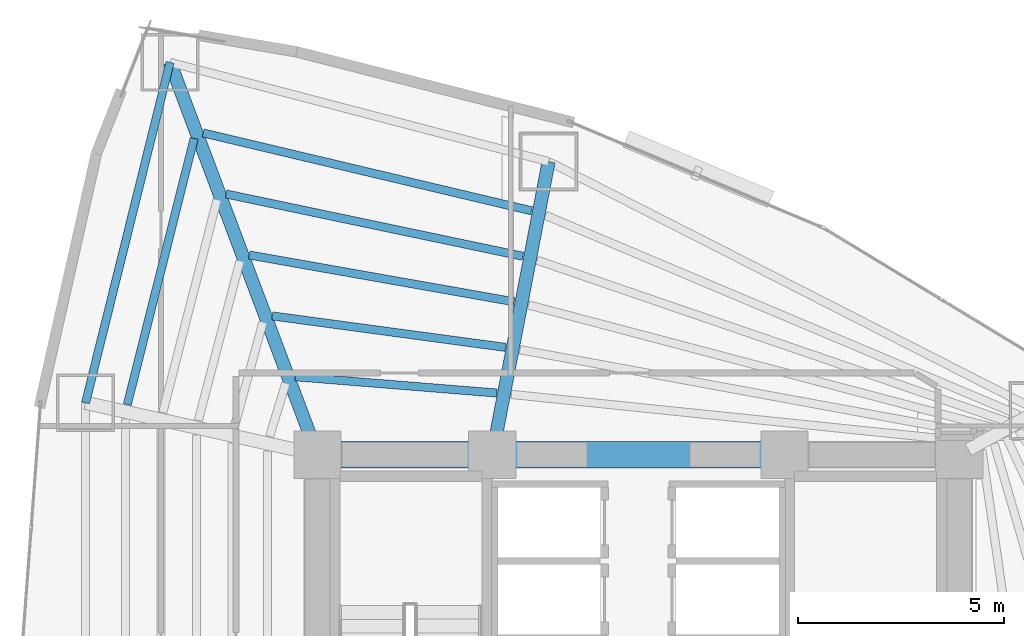
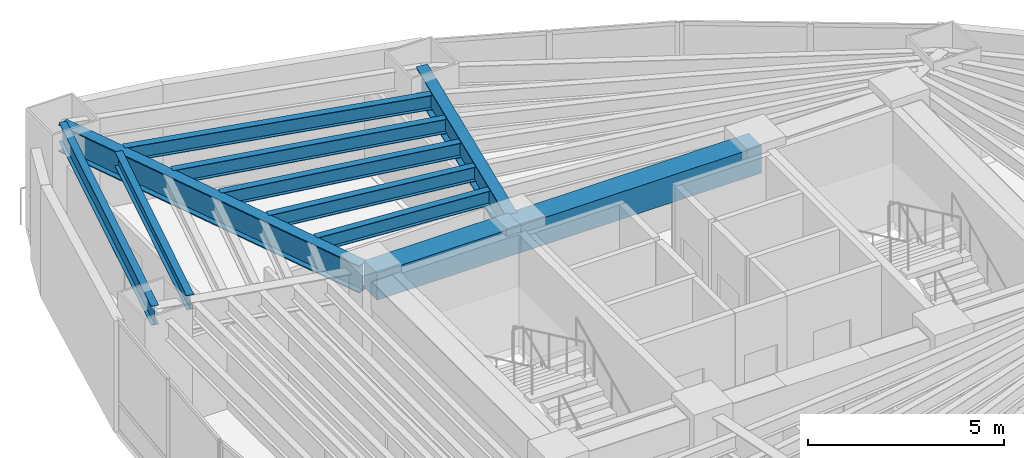
# One storey, part 8 of 17: 11 beams.
"""IFC4 building model written with IfcOpenShell, lengths in metres."""

from ifc_helpers import new_model, si_unit, direction, frame, origin, origin_2d, place, context, subcontext, project, spatial, rectangle, i_section, extrude, material, material_profile, profile_set, type_object, element, save


model = new_model("IFC4")

# Units and contexts
model_context = context("Model", 3, precision=1e-05, world=origin(), true_north=direction((0.0, 1.0)))
body_context = subcontext(model_context, "Body", "Model", "MODEL_VIEW")
ifc_project = project(units=[si_unit("LENGTHUNIT", "METRE"), si_unit("AREAUNIT", "SQUARE_METRE"), si_unit("VOLUMEUNIT", "CUBIC_METRE"), si_unit("PLANEANGLEUNIT", "RADIAN"), si_unit("MASSUNIT", "GRAM", prefix="KILO")], contexts=[model_context])

# Site, building, storey
site_placement = place(None, origin())
site = spatial("IfcSite", under=ifc_project, at=site_placement, CompositionType="ELEMENT")
building_placement = place(site_placement, origin())
building = spatial("IfcBuilding", under=site, at=building_placement, Name="Menara Vayukalpa", CompositionType="ELEMENT")
storey_placement = place(building_placement, frame((0.0, 0.0, 42.47998046875)))
storey = spatial("IfcBuildingStorey", under=building, at=storey_placement, Name="L09", CompositionType="ELEMENT", Elevation=42.47998046875)

# Beams
ifc_material_1 = material(Name="Concrete C60/75", Category="concrete")
ifc_material_profile_1 = material_profile(ifc_material_1, rectangle(XDim=0.64990234375, YDim=0.85009765625, at=origin_2d()), Name="RC 650x850")
ifc_profile_set_1 = profile_set([ifc_material_profile_1], Name="Concrete C60/75")
beam_type_1 = type_object("IfcBeamType", Name="BM-CB1", PredefinedType="BEAM", material=ifc_profile_set_1)
beam_1_placement = place(storey_placement, frame((17.800048828125, 26.800048828125, 3.044921875), z_axis=(1.0, 0.0, 0.0), x_axis=(0.0, 1.0, 0.0)))
element("IfcBeam", 1, at=beam_1_placement, inside=storey, type_object=beam_type_1, Name="L09 Core Tie Beam CBR4", PredefinedType="BEAM", context=body_context, shape_type="SweptSolid", body=[
    extrude(rectangle(XDim=0.64990234375, YDim=0.85009765625, at=origin_2d()), origin(), (0.0, 0.0, 1.0), 4.25),
])
beam_2_placement = place(storey_placement, frame((22.050048828125, 26.800048828125, 3.044921875), z_axis=(1.0, 0.0, 0.0), x_axis=(0.0, 1.0, 0.0)))
element("IfcBeam", 2, at=beam_2_placement, inside=storey, type_object=beam_type_1, Name="L09 Core Tie Beam CBR5", PredefinedType="BEAM", context=body_context, shape_type="SweptSolid", body=[
    extrude(rectangle(XDim=0.64990234375, YDim=0.85009765625, at=origin_2d()), origin(), (0.0, 0.0, 1.0), 7.099853515625),
])
ifc_material_2 = material(Name="Steel S355", Category="steel")
ifc_material_profile_2 = material_profile(ifc_material_2, i_section(OverallWidth=0.320068359375, OverallDepth=0.85009765625, WebThickness=0.01611328125, FlangeThickness=0.030029296875, at=origin_2d()), Name="WF 850x320x16x30")
ifc_profile_set_2 = profile_set([ifc_material_profile_2], Name="Steel S355")
beam_type_2 = type_object("IfcBeamType", Name="BM-PG2", PredefinedType="BEAM", material=ifc_profile_set_2)
beam_3_placement = place(storey_placement, frame((22.09716796875, 27.04541015625, 3.044921875), z_axis=(0.188803432672, 0.982014899995, 0.0), x_axis=(-0.982014899995, 0.188803432672, 0.0)))
element("IfcBeam", 3, at=beam_3_placement, inside=storey, type_object=beam_type_2, Name="L09 Primary Radial Girder RG03", PredefinedType="BEAM", context=body_context, shape_type="SweptSolid", body=[
    extrude(i_section(OverallWidth=0.320068359375, OverallDepth=0.85009765625, WebThickness=0.01611328125, FlangeThickness=0.030029296875, at=origin_2d()), origin(), (0.0, 0.0, 1.0), 7.00341796875),
])
beam_4_placement = place(storey_placement, frame((17.712158203125, 27.033935546875, 3.044921875), z_axis=(-0.351734656537, 0.93609974436, 0.0), x_axis=(-0.93609974436, -0.351734656537, 0.0)))
element("IfcBeam", 4, at=beam_4_placement, inside=storey, type_object=beam_type_2, Name="L09 Primary Radial Girder RG04", PredefinedType="BEAM", context=body_context, shape_type="SweptSolid", body=[
    extrude(i_section(OverallWidth=0.320068359375, OverallDepth=0.85009765625, WebThickness=0.01611328125, FlangeThickness=0.030029296875, at=origin_2d()), origin(), (0.0, 0.0, 1.0), 9.935302734375),
])
ifc_material_3 = material(Name="Steel S355", Category="steel")
ifc_material_profile_3 = material_profile(ifc_material_3, i_section(OverallWidth=0.199951171875, OverallDepth=0.449951171875, WebThickness=0.009033203125, FlangeThickness=0.013916015625, at=origin_2d()), Name="WF 450x200x9x14")
ifc_profile_set_3 = profile_set([ifc_material_profile_3], Name="Steel S355")
beam_type_3 = type_object("IfcBeamType", Name="BM-SJ1", PredefinedType="JOIST", material=ifc_profile_set_3)
beam_5_placement = place(storey_placement, frame((22.15576171875, 28.2978515625, 3.2451171875), z_axis=(-0.996745483939, 0.08061290373, 0.0), x_axis=(-0.08061290373, -0.996745483939, 0.0)))
element("IfcBeam", 5, at=beam_5_placement, inside=storey, type_object=beam_type_3, Name="L09 Secondary Floor Joist SJ03-1", PredefinedType="JOIST", context=body_context, shape_type="SweptSolid", body=[
    extrude(i_section(OverallWidth=0.199951171875, OverallDepth=0.449951171875, WebThickness=0.009033203125, FlangeThickness=0.013916015625, at=origin_2d()), origin(), (0.0, 0.0, 1.0), 4.9091796875),
])
beam_6_placement = place(storey_placement, frame((22.368408203125, 29.40771484375, 3.2451171875), z_axis=(-0.991021966654, 0.13369914588, 0.0), x_axis=(-0.13369914588, -0.991021966654, 0.0)))
element("IfcBeam", 6, at=beam_6_placement, inside=storey, type_object=beam_type_3, Name="L09 Secondary Floor Joist SJ03-2", PredefinedType="JOIST", context=body_context, shape_type="SweptSolid", body=[
    extrude(i_section(OverallWidth=0.199951171875, OverallDepth=0.449951171875, WebThickness=0.009033203125, FlangeThickness=0.013916015625, at=origin_2d()), origin(), (0.0, 0.0, 1.0), 5.71728515625),
])
beam_7_placement = place(storey_placement, frame((22.5810546875, 30.515380859375, 3.2451171875), z_axis=(-0.984753096925, 0.173957862993, 0.0), x_axis=(-0.173957862993, -0.984753096925, 0.0)))
element("IfcBeam", 7, at=beam_7_placement, inside=storey, type_object=beam_type_3, Name="L09 Secondary Floor Joist SJ03-3", PredefinedType="JOIST", context=body_context, shape_type="SweptSolid", body=[
    extrude(i_section(OverallWidth=0.199951171875, OverallDepth=0.449951171875, WebThickness=0.009033203125, FlangeThickness=0.013916015625, at=origin_2d()), origin(), (0.0, 0.0, 1.0), 6.53857421875),
])
beam_8_placement = place(storey_placement, frame((22.793701171875, 31.62158203125, 3.2451171875), z_axis=(-0.978676146728, 0.205409346977, 0.0), x_axis=(-0.205409346977, -0.978676146728, 0.0)))
element("IfcBeam", 8, at=beam_8_placement, inside=storey, type_object=beam_type_3, Name="L09 Secondary Floor Joist SJ03-4", PredefinedType="JOIST", context=body_context, shape_type="SweptSolid", body=[
    extrude(i_section(OverallWidth=0.199951171875, OverallDepth=0.449951171875, WebThickness=0.009033203125, FlangeThickness=0.013916015625, at=origin_2d()), origin(), (0.0, 0.0, 1.0), 7.369140625),
])
beam_9_placement = place(storey_placement, frame((23.00634765625, 32.726318359375, 3.2451171875), z_axis=(-0.97303971213, 0.23063763487, 0.0), x_axis=(-0.23063763487, -0.97303971213, 0.0)))
element("IfcBeam", 9, at=beam_9_placement, inside=storey, type_object=beam_type_3, Name="L09 Secondary Floor Joist SJ03-5", PredefinedType="JOIST", context=body_context, shape_type="SweptSolid", body=[
    extrude(i_section(OverallWidth=0.199951171875, OverallDepth=0.449951171875, WebThickness=0.009033203125, FlangeThickness=0.013916015625, at=origin_2d()), origin(), (0.0, 0.0, 1.0), 8.205810546875),
])
beam_10_placement = place(storey_placement, frame((14.802734375, 34.485595703125, 3.2451171875), z_axis=(-0.243517460774, -0.96989651319, 0.0), x_axis=(0.96989651319, -0.243517460774, 0.0)))
element("IfcBeam", 10, at=beam_10_placement, inside=storey, type_object=beam_type_3, Name="L09 Secondary Floor Joist SJ04-5", PredefinedType="JOIST", context=body_context, shape_type="SweptSolid", body=[
    extrude(i_section(OverallWidth=0.199951171875, OverallDepth=0.449951171875, WebThickness=0.009033203125, FlangeThickness=0.013916015625, at=origin_2d()), origin(), (0.0, 0.0, 1.0), 6.6689453125),
])
ifc_material_4 = material(Name="Steel S355", Category="steel")
ifc_material_profile_4 = material_profile(ifc_material_4, i_section(OverallWidth=0.199951171875, OverallDepth=0.60009765625, WebThickness=0.010986328125, FlangeThickness=0.01708984375, at=origin_2d()), Name="WF 600x200x11x17")
ifc_profile_set_4 = profile_set([ifc_material_profile_4], Name="Steel S355")
beam_type_4 = type_object("IfcBeamType", Name="BM-SP1", PredefinedType="SPANDREL", material=ifc_profile_set_4)
beam_11_placement = place(storey_placement, frame((14.217529296875, 36.33447265625, 3.169921875), z_axis=(-0.240823860364, -0.970568837476, 0.0), x_axis=(0.970568837476, -0.240823860364, 0.0)))
element("IfcBeam", 11, at=beam_11_placement, inside=storey, type_object=beam_type_4, Name="L09 Perimeter Spandrel Beam SP04", PredefinedType="SPANDREL", context=body_context, shape_type="SweptSolid", body=[
    extrude(i_section(OverallWidth=0.199951171875, OverallDepth=0.60009765625, WebThickness=0.010986328125, FlangeThickness=0.01708984375, at=origin_2d()), origin(), (0.0, 0.0, 1.0), 8.52587890625),
])

save(model, "model.ifc")
